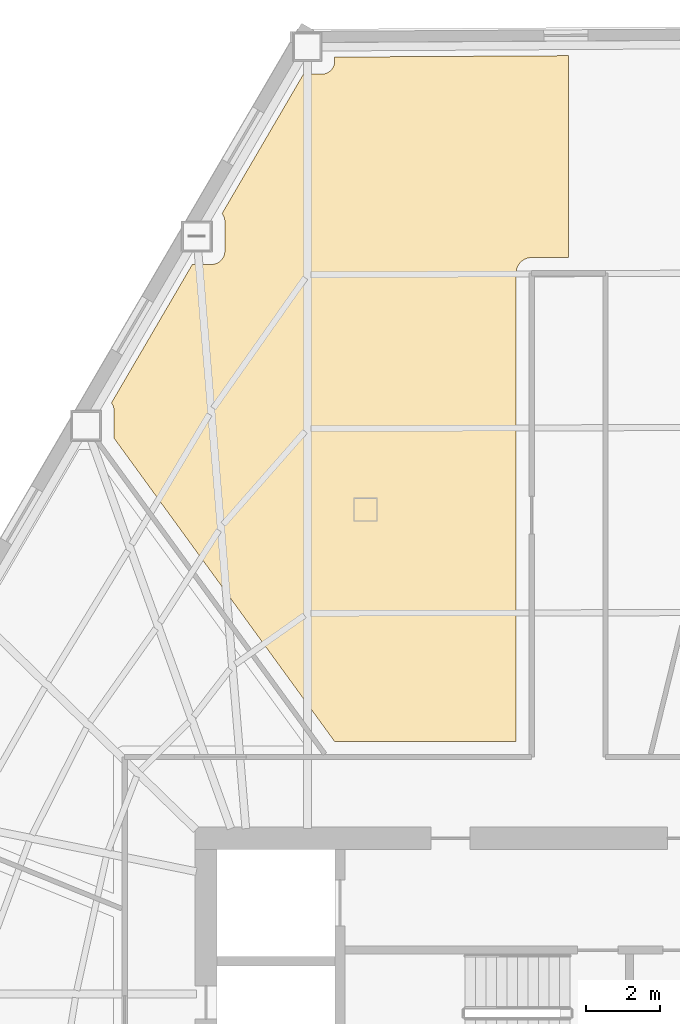
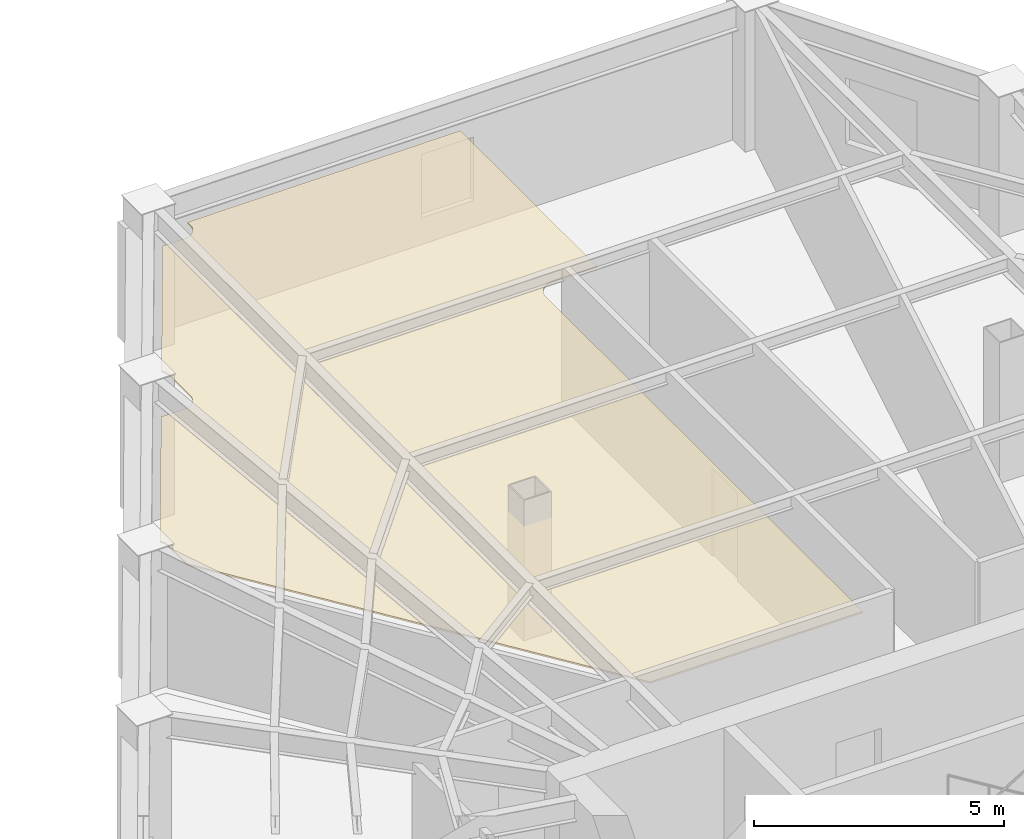
# One storey, part 14 of 14: 1 covering.
"""IFC4 building model written with IfcOpenShell, lengths in metres."""

from ifc_helpers import new_model, si_unit, direction, frame, origin, place, context, subcontext, project, spatial, polyline, outline, extrude, material, layer, layer_set, type_object, element, save


model = new_model("IFC4")

# Units and contexts
model_context = context("Model", 3, precision=1e-05, world=origin(), true_north=direction((0.0, 1.0)))
body_context = subcontext(model_context, "Body", "Model", "MODEL_VIEW")
ifc_project = project(units=[si_unit("LENGTHUNIT", "METRE"), si_unit("AREAUNIT", "SQUARE_METRE"), si_unit("VOLUMEUNIT", "CUBIC_METRE"), si_unit("PLANEANGLEUNIT", "RADIAN"), si_unit("MASSUNIT", "GRAM", prefix="KILO")], contexts=[model_context])

# Site, building, storey
site_placement = place(None, origin())
site = spatial("IfcSite", under=ifc_project, at=site_placement, CompositionType="ELEMENT")
building_placement = place(site_placement, origin())
building = spatial("IfcBuilding", under=site, at=building_placement, Name="Kavelnor Concourse Tower", CompositionType="ELEMENT")
storey_placement = place(building_placement, frame((0.0, 0.0, 71.449951171875)))
storey = spatial("IfcBuildingStorey", under=building, at=storey_placement, Name="L18", CompositionType="ELEMENT", Elevation=71.449951171875)

# Covering
ifc_material = material(Name="Mineral fibre acoustic ceiling tile")
ifc_layer = layer(ifc_material, 0.0400390625, Name="Mineral fibre acoustic ceiling tile")
ifc_layer_set = layer_set([ifc_layer], Name="Mineral fibre acoustic ceiling tile")
covering_type = type_object("IfcCoveringType", Name="COV-CEILING-ACOUSTIC", PredefinedType="CEILING", material=ifc_layer_set)
covering_placement = place(storey_placement, frame((0.0, 0.0, 2.75)))
element("IfcCovering", 1, at=covering_placement, inside=storey, type_object=covering_type, Name="L18 Suspended Acoustic Ceiling", PredefinedType="CEILING", context=body_context, shape_type="SweptSolid", body=[
    extrude(outline(polyline([(28.365478515625, 38.439697265625), (28.400390625, 38.44482421875), (28.434814453125, 38.453369140625), (28.468017578125, 38.46533203125), (28.5, 38.48046875), (28.5302734375, 38.49853515625), (28.55859375, 38.519775390625), (28.5849609375, 38.54345703125), (28.608642578125, 38.569580078125), (28.6298828125, 38.59814453125), (28.64794921875, 38.62841796875), (28.6630859375, 38.660400390625), (28.675048828125, 38.693603515625), (28.68359375, 38.72802734375), (28.688720703125, 38.762939453125), (28.690185546875, 38.7900390625), (28.690185546875, 39.606689453125), (28.688720703125, 39.633544921875), (28.68359375, 39.668701171875), (28.675048828125, 39.702880859375), (28.6630859375, 39.736083984375), (28.64794921875, 39.768310546875), (28.6298828125, 39.798583984375), (28.615966796875, 39.817138671875), (30.818603515625, 43.587646484375), (31.31494140625, 43.587646484375), (31.341796875, 43.5888671875), (31.376953125, 43.593994140625), (31.4111328125, 43.602783203125), (31.444580078125, 43.614501953125), (31.4765625, 43.629638671875), (31.5068359375, 43.64794921875), (31.53515625, 43.6689453125), (31.561279296875, 43.69287109375), (31.585205078125, 43.718994140625), (31.606201171875, 43.747314453125), (31.62451171875, 43.777587890625), (31.6396484375, 43.809814453125), (31.651611328125, 43.843017578125), (31.66015625, 43.877197265625), (31.665283203125, 43.912353515625), (31.66650390625, 43.939208984375), (31.66650390625, 44.052001953125), (37.9951171875, 44.08984375), (37.9951171875, 38.62255859375), (36.99169921875, 38.62255859375), (36.95849609375, 38.620849609375), (36.91748046875, 38.61474609375), (36.877197265625, 38.604736328125), (36.838134765625, 38.5908203125), (36.800537109375, 38.572998046875), (36.764892578125, 38.551513671875), (36.731689453125, 38.52685546875), (36.700927734375, 38.4990234375), (36.673095703125, 38.46826171875), (36.6484375, 38.43505859375), (36.626953125, 38.3994140625), (36.609375, 38.36181640625), (36.59521484375, 38.32275390625), (36.585205078125, 38.282470703125), (36.5791015625, 38.241455078125), (36.577392578125, 38.208251953125), (36.577392578125, 25.5224609375), (31.66162109375, 25.5224609375), (25.693603515625, 33.7294921875), (25.693603515625, 34.477294921875), (25.6923828125, 34.50439453125), (25.68701171875, 34.539306640625), (25.678466796875, 34.57373046875), (25.66650390625, 34.60693359375), (25.651611328125, 34.638916015625), (25.63330078125, 34.669189453125), (25.619384765625, 34.68798828125), (27.810302734375, 38.438232421875), (28.33837890625, 38.438232421875), (28.365478515625, 38.439697265625)])), origin(), (0.0, 0.0, 1.0), 0.0400390625),
])

save(model, "model.ifc")
